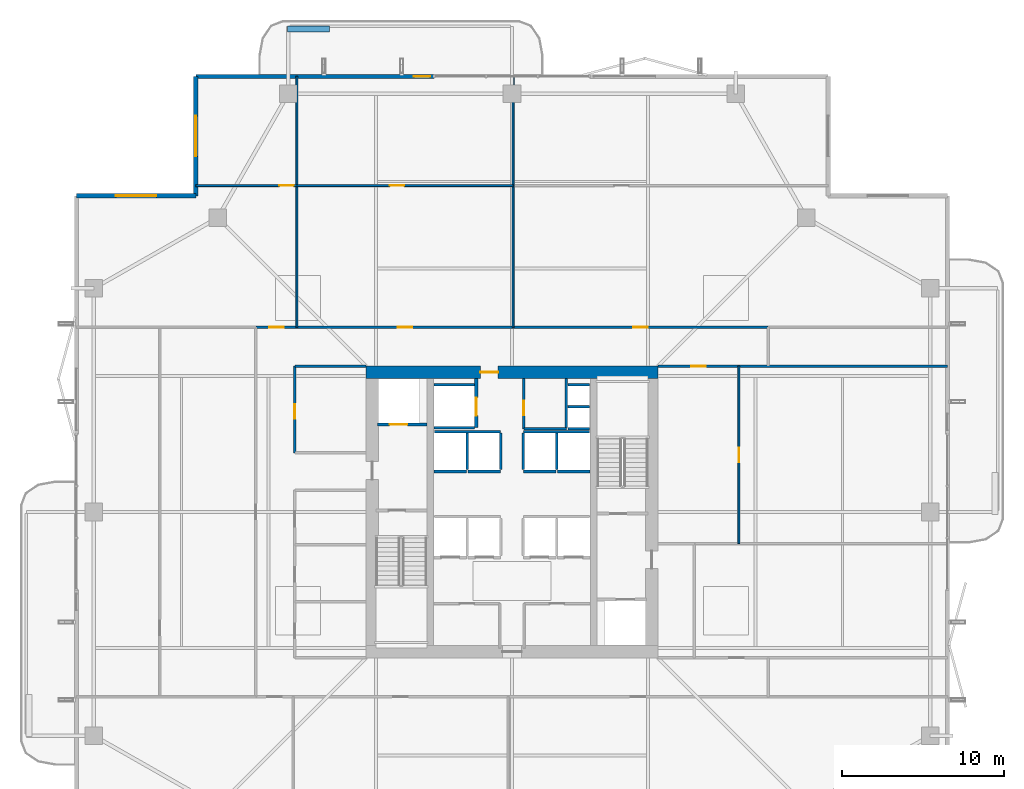
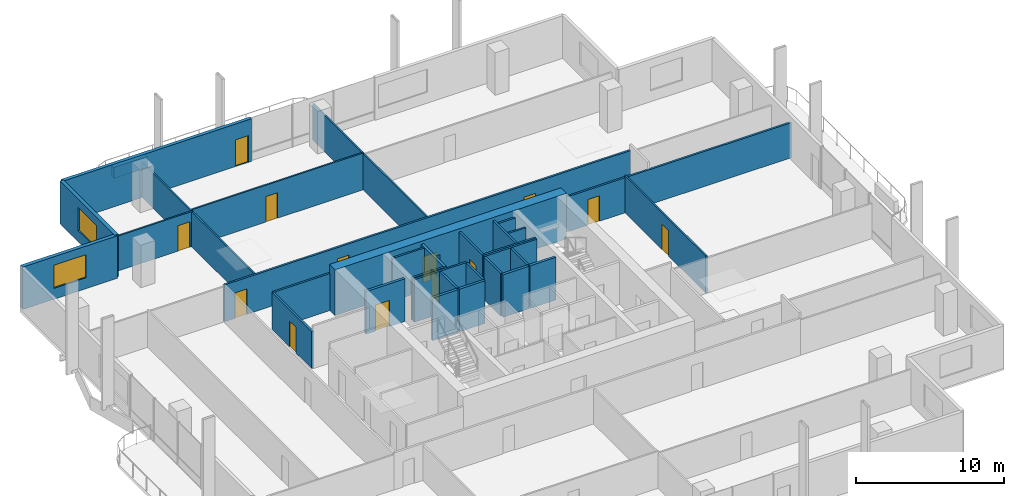
# One storey, part 19 of 24: 34 walls, 13 doors, 2 windows, 15 openings.
"""IFC4 building model written with IfcOpenShell, lengths in metres."""

from ifc_helpers import new_model, si_unit, direction, frame, frame_2d, origin, place, context, subcontext, project, spatial, rectangle, extrude, material, layer, layer_set, type_object, element, fill, save


model = new_model("IFC4")

# Units and contexts
model_context = context("Model", 3, precision=1e-05, world=origin(), true_north=direction((0.0, 1.0)))
body_context = subcontext(model_context, "Body", "Model", "MODEL_VIEW")
ifc_project = project(units=[si_unit("LENGTHUNIT", "METRE"), si_unit("AREAUNIT", "SQUARE_METRE"), si_unit("VOLUMEUNIT", "CUBIC_METRE"), si_unit("PLANEANGLEUNIT", "RADIAN"), si_unit("MASSUNIT", "GRAM", prefix="KILO")], contexts=[model_context])

# Site, building, storey
site_placement = place(None, origin())
site = spatial("IfcSite", under=ifc_project, at=site_placement, CompositionType="ELEMENT")
building_placement = place(site_placement, origin())
building = spatial("IfcBuilding", under=site, at=building_placement, Name="Belovzor Exchange Tower", CompositionType="ELEMENT")
storey_placement = place(building_placement, frame((0.0, 0.0, 226.199951171875)))
storey = spatial("IfcBuildingStorey", under=building, at=storey_placement, Name="L56", CompositionType="ELEMENT", Elevation=226.199951171875)

# Wall, opening, door
ifc_material_1 = material(Name="Acoustic Plasterboard on Galvanised Studs", Category="gypsum")
ifc_layer_1 = layer(ifc_material_1, 0.1201171875)
ifc_layer_set_1 = layer_set([ifc_layer_1], Name="Acoustic Plasterboard on Galvanised Studs")
wall_type_1 = type_object("IfcWallType", Name="Acoustic Double-Stud Partition Wall 120", PredefinedType="PARTITIONING", material=ifc_layer_set_1)
wall_1_placement = place(storey_placement, frame((9.300048828125, 48.93505859375, 0.0), z_axis=(0.0, 0.0, 1.0), x_axis=(1.0, 0.0, 0.0)))
wall_1 = element("IfcWall", 1, at=wall_1_placement, inside=storey, type_object=wall_type_1, Name="W-P120 Partition Wall W-L56-NHDIV-0", PredefinedType="PARTITIONING", context=body_context, shape_type="SweptSolid", body=[
    extrude(rectangle(XDim=6.23388671875, YDim=0.1201171875, at=frame_2d((3.116943359375, 0.0))), origin(), (0.0, 0.0, 1.0), 2.885009765625),
])
opening_1_placement = place(wall_1_placement, frame((5.134033203125, 0.0, 0.0)))
opening_1 = element("IfcOpeningElement", 2, at=opening_1_placement, cuts=wall_1, Name="Opening D-INT-090", PredefinedType="OPENING", context=body_context, shape_type="SweptSolid", body=[
    extrude(rectangle(XDim=0.89990234375, YDim=2.10009765625, at=frame_2d((0.449951171875, 1.050048828125))), frame((0.0, 0.070068359375, 0.0), z_axis=(0.0, -1.0, 0.0), x_axis=(1.0, 0.0, 0.0)), (0.0, 0.0, 1.0), 0.14013671875),
])
ifc_material_2 = material(Name="Veneered Hardwood Acoustic Leaf", Category="wood")
door_type_1 = type_object("IfcDoorType", Name="Trading Suite Acoustic Single Door 900x2100", OperationType="NOTDEFINED", PredefinedType="DOOR", material=ifc_material_2)
door_1_placement = place(opening_1_placement, origin())
door_1 = element("IfcDoor", 3, at=door_1_placement, inside=storey, type_object=door_type_1, Name="D-INT-090 Trading Suite Acoustic Single Door 900x2100", OperationType="SINGLE_SWING_RIGHT", OverallHeight=2.10009765625, OverallWidth=0.89990234375, PredefinedType="DOOR", context=body_context, shape_type="SweptSolid", body=[
    extrude(rectangle(XDim=0.89990234375, YDim=2.10009765625, at=frame_2d((0.449951171875, 1.050048828125))), frame((0.0, 0.02490234375, 0.0), z_axis=(0.0, -1.0, 0.0), x_axis=(1.0, 0.0, 0.0)), (0.0, 0.0, 1.0), 0.050048828125),
])
fill(opening_1, door_1)

# Wall
wall_2_placement = place(storey_placement, frame((15.533935546875, 40.199951171875, 0.0), z_axis=(0.0, 0.0, 1.0), x_axis=(0.0, 1.0, 0.0)))
element("IfcWall", 4, at=wall_2_placement, inside=storey, type_object=wall_type_1, Name="W-P120 Partition Wall W-L56-NDIV-1", PredefinedType="PARTITIONING", context=body_context, shape_type="SweptSolid", body=[
    extrude(rectangle(XDim=15.469970703125, YDim=0.1201171875, at=frame_2d((7.73486328125, 0.0))), origin(), (0.0, 0.0, 1.0), 2.885009765625),
])

# Wall, opening, door
wall_3_placement = place(storey_placement, frame((15.533935546875, 48.93505859375, 0.0), z_axis=(0.0, 0.0, 1.0), x_axis=(1.0, 0.0, 0.0)))
wall_3 = element("IfcWall", 5, at=wall_3_placement, inside=storey, type_object=wall_type_1, Name="W-P120 Partition Wall W-L56-NHDIV-1", PredefinedType="PARTITIONING", context=body_context, shape_type="SweptSolid", body=[
    extrude(rectangle(XDim=13.3310546875, YDim=0.1201171875, at=frame_2d((6.66552734375, 0.0))), origin(), (0.0, 0.0, 1.0), 3.03515625),
])
opening_2_placement = place(wall_3_placement, frame((5.714111328125, 0.0, 0.0)))
opening_2 = element("IfcOpeningElement", 6, at=opening_2_placement, cuts=wall_3, Name="Opening D-INT-090", PredefinedType="OPENING", context=body_context, shape_type="SweptSolid", body=[
    extrude(rectangle(XDim=0.89990234375, YDim=2.10009765625, at=frame_2d((0.449951171875, 1.050048828125))), frame((0.0, 0.070068359375, 0.0), z_axis=(0.0, -1.0, 0.0), x_axis=(1.0, 0.0, 0.0)), (0.0, 0.0, 1.0), 0.14013671875),
])
door_2_placement = place(opening_2_placement, origin())
door_2 = element("IfcDoor", 7, at=door_2_placement, inside=storey, type_object=door_type_1, Name="D-INT-090 Trading Suite Acoustic Single Door 900x2100", OperationType="SINGLE_SWING_RIGHT", OverallHeight=2.10009765625, OverallWidth=0.89990234375, PredefinedType="DOOR", context=body_context, shape_type="SweptSolid", body=[
    extrude(rectangle(XDim=0.89990234375, YDim=2.10009765625, at=frame_2d((0.449951171875, 1.050048828125))), frame((0.0, 0.02490234375, 0.0), z_axis=(0.0, -1.0, 0.0), x_axis=(1.0, 0.0, 0.0)), (0.0, 0.0, 1.0), 0.050048828125),
])
fill(opening_2, door_2)

# Wall
wall_4_placement = place(storey_placement, frame((28.864990234375, 40.199951171875, 0.0), z_axis=(0.0, 0.0, 1.0), x_axis=(0.0, 1.0, 0.0)))
element("IfcWall", 8, at=wall_4_placement, inside=storey, type_object=wall_type_1, Name="W-P120 Partition Wall W-L56-NDIV-2", PredefinedType="PARTITIONING", context=body_context, shape_type="SweptSolid", body=[
    extrude(rectangle(XDim=15.469970703125, YDim=0.1201171875, at=frame_2d((7.73486328125, 0.0))), origin(), (0.0, 0.0, 1.0), 2.985107421875),
])

# Wall, opening, door
wall_5_placement = place(storey_placement, frame((42.800048828125, 26.85009765625, 0.0), z_axis=(0.0, 0.0, 1.0), x_axis=(0.0, 1.0, 0.0)))
wall_5 = element("IfcWall", 9, at=wall_5_placement, inside=storey, type_object=wall_type_1, Name="W-P120 Partition Wall W-L56-EDIV-2", PredefinedType="PARTITIONING", context=body_context, shape_type="SweptSolid", body=[
    extrude(rectangle(XDim=10.949951171875, YDim=0.1201171875, at=frame_2d((5.47509765625, 0.0))), origin(), (0.0, 0.0, 1.0), 3.03515625),
])
opening_3_placement = place(wall_5_placement, frame((5.02490234375, 0.0, 0.0)))
opening_3 = element("IfcOpeningElement", 10, at=opening_3_placement, cuts=wall_5, Name="Opening D-INT-090", PredefinedType="OPENING", context=body_context, shape_type="SweptSolid", body=[
    extrude(rectangle(XDim=0.89990234375, YDim=2.10009765625, at=frame_2d((0.449951171875, 1.050048828125))), frame((0.0, 0.070068359375, 0.0), z_axis=(0.0, -1.0, 0.0), x_axis=(1.0, 0.0, 0.0)), (0.0, 0.0, 1.0), 0.14013671875),
])
door_3_placement = place(opening_3_placement, origin())
door_3 = element("IfcDoor", 11, at=door_3_placement, inside=storey, type_object=door_type_1, Name="D-INT-090 Trading Suite Acoustic Single Door 900x2100", OperationType="SINGLE_SWING_RIGHT", OverallHeight=2.10009765625, OverallWidth=0.89990234375, PredefinedType="DOOR", context=body_context, shape_type="SweptSolid", body=[
    extrude(rectangle(XDim=0.89990234375, YDim=2.10009765625, at=frame_2d((0.449951171875, 1.050048828125))), frame((0.0, 0.02490234375, 0.0), z_axis=(0.0, -1.0, 0.0), x_axis=(1.0, 0.0, 0.0)), (0.0, 0.0, 1.0), 0.050048828125),
])
fill(opening_3, door_3)

ifc_material_3 = material(Name="Fire-Rated Gypsum Block and Mineral Wool", Category="gypsum")
ifc_layer_2 = layer(ifc_material_3, 0.14990234375)
ifc_layer_set_2 = layer_set([ifc_layer_2], Name="Fire-Rated Gypsum Block and Mineral Wool")
wall_type_2 = type_object("IfcWallType", Name="Fire-Rated Gypsum Block Corridor Wall 150", PredefinedType="PARTITIONING", material=ifc_layer_set_2)
wall_6_placement = place(storey_placement, frame((29.52490234375, 33.925048828125, 0.0), z_axis=(0.0, 0.0, 1.0), x_axis=(0.0, 1.0, 0.0)))
wall_6 = element("IfcWall", 12, at=wall_6_placement, inside=storey, type_object=wall_type_2, Name="W-P150 Partition Wall W-CRV-L56-W", PredefinedType="PARTITIONING", context=body_context, shape_type="SweptSolid", body=[
    extrude(rectangle(XDim=3.125, YDim=0.14990234375, at=frame_2d((1.5625, 0.0))), origin(), (0.0, 0.0, 1.0), 3.5),
])
opening_4_placement = place(wall_6_placement, frame((0.85009765625, 0.0, 0.0)))
opening_4 = element("IfcOpeningElement", 13, at=opening_4_placement, cuts=wall_6, Name="Opening D-FD60-090", PredefinedType="OPENING", context=body_context, shape_type="SweptSolid", body=[
    extrude(rectangle(XDim=0.89990234375, YDim=2.10009765625, at=frame_2d((0.449951171875, 1.050048828125))), frame((0.0, 0.0849609375, 0.0), z_axis=(0.0, -1.0, 0.0), x_axis=(1.0, 0.0, 0.0)), (0.0, 0.0, 1.0), 0.169921875),
])
ifc_material_4 = material(Name="Acoustic Timber Fire Leaf", Category="wood")
door_type_2 = type_object("IfcDoorType", Name="Core Service & Restroom Fire Door 900x2100", OperationType="NOTDEFINED", PredefinedType="DOOR", material=ifc_material_4)
door_4_placement = place(opening_4_placement, origin())
door_4 = element("IfcDoor", 14, at=door_4_placement, inside=storey, type_object=door_type_2, Name="D-FD60-090 Core Service & Restroom Fire Door 900x2100", OperationType="SINGLE_SWING_LEFT", OverallHeight=2.10009765625, OverallWidth=0.89990234375, PredefinedType="DOOR", context=body_context, shape_type="SweptSolid", body=[
    extrude(rectangle(XDim=0.89990234375, YDim=2.10009765625, at=frame_2d((0.449951171875, 1.050048828125))), frame((0.0, 0.02490234375, 0.0), z_axis=(0.0, -1.0, 0.0), x_axis=(1.0, 0.0, 0.0)), (0.0, 0.0, 1.0), 0.050048828125),
])
fill(opening_4, door_4)

# Walls
wall_7_placement = place(storey_placement, frame((29.52490234375, 33.925048828125, 0.0), z_axis=(0.0, 0.0, 1.0), x_axis=(1.0, 0.0, 0.0)))
element("IfcWall", 15, at=wall_7_placement, inside=storey, type_object=wall_type_2, Name="W-P150 Partition Wall W-CRV-L56-S", PredefinedType="PARTITIONING", context=body_context, shape_type="SweptSolid", body=[
    extrude(rectangle(XDim=2.625, YDim=0.14990234375, at=frame_2d((1.3125, 0.0))), origin(), (0.0, 0.0, 1.0), 3.5),
])
wall_8_placement = place(storey_placement, frame((15.39990234375, 37.800048828125, 0.0), z_axis=(0.0, 0.0, 1.0), x_axis=(1.0, 0.0, 0.0)))
element("IfcWall", 16, at=wall_8_placement, inside=storey, type_object=wall_type_2, Name="W-P150 Partition Wall W-L56-INW-N", PredefinedType="PARTITIONING", context=body_context, shape_type="SweptSolid", body=[
    extrude(rectangle(XDim=4.400146484375, YDim=0.14990234375, at=frame_2d((2.2001953125, 0.0))), origin(), (0.0, 0.0, 1.0), 3.03515625),
])

# Wall, opening, door
wall_9_placement = place(storey_placement, frame((15.39990234375, 32.449951171875, 0.0), z_axis=(0.0, 0.0, 1.0), x_axis=(0.0, 1.0, 0.0)))
wall_9 = element("IfcWall", 17, at=wall_9_placement, inside=storey, type_object=wall_type_2, Name="W-P150 Partition Wall W-L56-WIE-N", PredefinedType="PARTITIONING", context=body_context, shape_type="SweptSolid", body=[
    extrude(rectangle(XDim=5.35009765625, YDim=0.14990234375, at=frame_2d((2.675048828125, 0.0))), origin(), (0.0, 0.0, 1.0), 3.03515625),
])
opening_5_placement = place(wall_9_placement, frame((2.10009765625, 0.0, 0.0)))
opening_5 = element("IfcOpeningElement", 18, at=opening_5_placement, cuts=wall_9, Name="Opening D-FD60-090", PredefinedType="OPENING", context=body_context, shape_type="SweptSolid", body=[
    extrude(rectangle(XDim=0.89990234375, YDim=2.10009765625, at=frame_2d((0.449951171875, 1.050048828125))), frame((0.0, 0.0849609375, 0.0), z_axis=(0.0, -1.0, 0.0), x_axis=(1.0, 0.0, 0.0)), (0.0, 0.0, 1.0), 0.169921875),
])
door_5_placement = place(opening_5_placement, origin())
door_5 = element("IfcDoor", 19, at=door_5_placement, inside=storey, type_object=door_type_2, Name="D-FD60-090 Core Service & Restroom Fire Door 900x2100", OperationType="SINGLE_SWING_LEFT", OverallHeight=2.10009765625, OverallWidth=0.89990234375, PredefinedType="DOOR", context=body_context, shape_type="SweptSolid", body=[
    extrude(rectangle(XDim=0.89990234375, YDim=2.10009765625, at=frame_2d((0.449951171875, 1.050048828125))), frame((0.0, 0.02490234375, 0.0), z_axis=(0.0, -1.0, 0.0), x_axis=(1.0, 0.0, 0.0)), (0.0, 0.0, 1.0), 0.050048828125),
])
fill(opening_5, door_5)

wall_10_placement = place(storey_placement, frame((37.800048828125, 37.800048828125, 0.0), z_axis=(0.0, 0.0, 1.0), x_axis=(1.0, 0.0, 0.0)))
wall_10 = element("IfcWall", 20, at=wall_10_placement, inside=storey, type_object=wall_type_2, Name="W-P150 Partition Wall W-L56-CN-IN", PredefinedType="PARTITIONING", context=body_context, shape_type="SweptSolid", body=[
    extrude(rectangle(XDim=17.869873046875, YDim=0.14990234375, at=frame_2d((8.93505859375, 0.0))), origin(), (0.0, 0.0, 1.0), 2.885009765625),
])
opening_6_placement = place(wall_10_placement, frame((2.050048828125, 0.0, 0.0)))
opening_6 = element("IfcOpeningElement", 21, at=opening_6_placement, cuts=wall_10, Name="Opening D-INT-090", PredefinedType="OPENING", context=body_context, shape_type="SweptSolid", body=[
    extrude(rectangle(XDim=0.89990234375, YDim=2.10009765625, at=frame_2d((0.449951171875, 1.050048828125))), frame((0.0, 0.0849609375, 0.0), z_axis=(0.0, -1.0, 0.0), x_axis=(1.0, 0.0, 0.0)), (0.0, 0.0, 1.0), 0.169921875),
])
door_6_placement = place(opening_6_placement, origin())
door_6 = element("IfcDoor", 22, at=door_6_placement, inside=storey, type_object=door_type_1, Name="D-INT-090 Trading Suite Acoustic Single Door 900x2100", OperationType="SINGLE_SWING_RIGHT", OverallHeight=2.10009765625, OverallWidth=0.89990234375, PredefinedType="DOOR", context=body_context, shape_type="SweptSolid", body=[
    extrude(rectangle(XDim=0.89990234375, YDim=2.10009765625, at=frame_2d((0.449951171875, 1.050048828125))), frame((0.0, 0.02490234375, 0.0), z_axis=(0.0, -1.0, 0.0), x_axis=(1.0, 0.0, 0.0)), (0.0, 0.0, 1.0), 0.050048828125),
])
fill(opening_6, door_6)

# Wall, openings, doors
wall_11_placement = place(storey_placement, frame((13.0, 40.199951171875, 0.0), z_axis=(0.0, 0.0, 1.0), x_axis=(1.0, 0.0, 0.0)))
wall_11 = element("IfcWall", 23, at=wall_11_placement, inside=storey, type_object=wall_type_2, Name="W-P150 Partition Wall W-L56-CN", PredefinedType="PARTITIONING", context=body_context, shape_type="SweptSolid", body=[
    extrude(rectangle(XDim=31.60009765625, YDim=0.14990234375, at=frame_2d((15.800048828125, 0.0))), origin(), (0.0, 0.0, 1.0), 3.03515625),
])
opening_7_placement = place(wall_11_placement, frame((0.81689453125, 0.0, 0.0)))
opening_7 = element("IfcOpeningElement", 24, at=opening_7_placement, cuts=wall_11, Name="Opening D-INT-090", PredefinedType="OPENING", context=body_context, shape_type="SweptSolid", body=[
    extrude(rectangle(XDim=0.89990234375, YDim=2.10009765625, at=frame_2d((0.449951171875, 1.050048828125))), frame((0.0, 0.0849609375, 0.0), z_axis=(0.0, -1.0, 0.0), x_axis=(1.0, 0.0, 0.0)), (0.0, 0.0, 1.0), 0.169921875),
])
opening_8_placement = place(wall_11_placement, frame((8.75, 0.0, 0.0)))
opening_8 = element("IfcOpeningElement", 25, at=opening_8_placement, cuts=wall_11, Name="Opening D-INT-090", PredefinedType="OPENING", context=body_context, shape_type="SweptSolid", body=[
    extrude(rectangle(XDim=0.89990234375, YDim=2.10009765625, at=frame_2d((0.449951171875, 1.050048828125))), frame((0.0, 0.0849609375, 0.0), z_axis=(0.0, -1.0, 0.0), x_axis=(1.0, 0.0, 0.0)), (0.0, 0.0, 1.0), 0.169921875),
])
opening_9_placement = place(wall_11_placement, frame((23.281982421875, 0.0, 0.0)))
opening_9 = element("IfcOpeningElement", 26, at=opening_9_placement, cuts=wall_11, Name="Opening D-INT-090", PredefinedType="OPENING", context=body_context, shape_type="SweptSolid", body=[
    extrude(rectangle(XDim=0.89990234375, YDim=2.10009765625, at=frame_2d((0.449951171875, 1.050048828125))), frame((0.0, 0.0849609375, 0.0), z_axis=(0.0, -1.0, 0.0), x_axis=(1.0, 0.0, 0.0)), (0.0, 0.0, 1.0), 0.169921875),
])
door_7_placement = place(opening_7_placement, origin())
door_7 = element("IfcDoor", 27, at=door_7_placement, inside=storey, type_object=door_type_1, Name="D-INT-090 Trading Suite Acoustic Single Door 900x2100", OperationType="SINGLE_SWING_RIGHT", OverallHeight=2.10009765625, OverallWidth=0.89990234375, PredefinedType="DOOR", context=body_context, shape_type="SweptSolid", body=[
    extrude(rectangle(XDim=0.89990234375, YDim=2.10009765625, at=frame_2d((0.449951171875, 1.050048828125))), frame((0.0, 0.02490234375, 0.0), z_axis=(0.0, -1.0, 0.0), x_axis=(1.0, 0.0, 0.0)), (0.0, 0.0, 1.0), 0.050048828125),
])
fill(opening_7, door_7)
door_8_placement = place(opening_8_placement, origin())
door_8 = element("IfcDoor", 28, at=door_8_placement, inside=storey, type_object=door_type_1, Name="D-INT-090 Trading Suite Acoustic Single Door 900x2100", OperationType="SINGLE_SWING_LEFT", OverallHeight=2.10009765625, OverallWidth=0.89990234375, PredefinedType="DOOR", context=body_context, shape_type="SweptSolid", body=[
    extrude(rectangle(XDim=0.89990234375, YDim=2.10009765625, at=frame_2d((0.449951171875, 1.050048828125))), frame((0.0, 0.02490234375, 0.0), z_axis=(0.0, -1.0, 0.0), x_axis=(1.0, 0.0, 0.0)), (0.0, 0.0, 1.0), 0.050048828125),
])
fill(opening_8, door_8)
door_9_placement = place(opening_9_placement, origin())
door_9 = element("IfcDoor", 29, at=door_9_placement, inside=storey, type_object=door_type_1, Name="D-INT-090 Trading Suite Acoustic Single Door 900x2100", OperationType="SINGLE_SWING_RIGHT", OverallHeight=2.10009765625, OverallWidth=0.89990234375, PredefinedType="DOOR", context=body_context, shape_type="SweptSolid", body=[
    extrude(rectangle(XDim=0.89990234375, YDim=2.10009765625, at=frame_2d((0.449951171875, 1.050048828125))), frame((0.0, 0.02490234375, 0.0), z_axis=(0.0, -1.0, 0.0), x_axis=(1.0, 0.0, 0.0)), (0.0, 0.0, 1.0), 0.050048828125),
])
fill(opening_9, door_9)

# Wall, opening, window
ifc_material_5 = material(Name="Precast concrete C40/50", Category="concrete")
ifc_layer_3 = layer(ifc_material_5, 0.280029296875)
ifc_layer_set_3 = layer_set([ifc_layer_3], Name="Precast concrete C40/50")
wall_type_3 = type_object("IfcWallType", Name="Precast Concrete Notched Corner Frame Wall 280", PredefinedType="SOLIDWALL", material=ifc_layer_set_3)
wall_12_placement = place(storey_placement, frame((1.929931640625, 48.300048828125, 0.0), z_axis=(0.0, 0.0, 1.0), x_axis=(1.0, 0.0, 0.0)))
wall_12 = element("IfcWall", 30, at=wall_12_placement, inside=storey, type_object=wall_type_3, Name="W-CRN280 Precast Concrete Notched Corner Frame Wall 280 L56", PredefinedType="SOLIDWALL", context=body_context, shape_type="SweptSolid", body=[
    extrude(rectangle(XDim=7.3701171875, YDim=0.280029296875, at=frame_2d((3.68505859375, 0.0))), origin(), (0.0, 0.0, 1.0), 3.5),
])
opening_10_placement = place(wall_12_placement, frame((2.43505859375, 0.0, 0.89990234375)))
opening_10 = element("IfcOpeningElement", 31, at=opening_10_placement, cuts=wall_12, Name="Opening WN-CRN250", PredefinedType="OPENING", context=body_context, shape_type="SweptSolid", body=[
    extrude(rectangle(XDim=2.5, YDim=1.89990234375, at=frame_2d((1.25, 0.949951171875))), frame((0.0, 0.14990234375, 0.0), z_axis=(0.0, -1.0, 0.0), x_axis=(1.0, 0.0, 0.0)), (0.0, 0.0, 1.0), 0.300048828125),
])
ifc_material_6 = material(Name="Thermally Broken Aluminium and Triple Glazing", Category="aluminium")
window_type = type_object("IfcWindowType", Name="Streamline Moderne Corner Wrap Ribbon Window 2500x1900", PartitioningType="SINGLE_PANEL", PredefinedType="WINDOW", material=ifc_material_6)
window_1_placement = place(opening_10_placement, origin())
window_1 = element("IfcWindow", 32, at=window_1_placement, inside=storey, type_object=window_type, Name="WN-CRN250 Streamline Moderne Corner Wrap Ribbon Window 2500x1900", OverallHeight=1.89990234375, OverallWidth=2.5, PartitioningType="SINGLE_PANEL", PredefinedType="WINDOW", context=body_context, shape_type="SweptSolid", body=[
    extrude(rectangle(XDim=2.5, YDim=1.89990234375, at=frame_2d((1.25, 0.949951171875))), frame((0.0, 0.030029296875, 0.0), z_axis=(0.0, -1.0, 0.0), x_axis=(1.0, 0.0, 0.0)), (0.0, 0.0, 1.0), 0.06005859375),
])
fill(opening_10, window_1)

wall_13_placement = place(storey_placement, frame((9.300048828125, 48.300048828125, 0.0), z_axis=(0.0, 0.0, 1.0), x_axis=(0.0, 1.0, 0.0)))
wall_13 = element("IfcWall", 33, at=wall_13_placement, inside=storey, type_object=wall_type_3, Name="W-CRN280 Precast Concrete Notched Corner Frame Wall 280 L56", PredefinedType="SOLIDWALL", context=body_context, shape_type="SweptSolid", body=[
    extrude(rectangle(XDim=7.369873046875, YDim=0.280029296875, at=frame_2d((3.68505859375, 0.0))), origin(), (0.0, 0.0, 1.0), 3.5),
])
opening_11_placement = place(wall_13_placement, frame((2.43505859375, 0.0, 0.89990234375)))
opening_11 = element("IfcOpeningElement", 34, at=opening_11_placement, cuts=wall_13, Name="Opening WN-CRN250", PredefinedType="OPENING", context=body_context, shape_type="SweptSolid", body=[
    extrude(rectangle(XDim=2.5, YDim=1.89990234375, at=frame_2d((1.25, 0.949951171875))), frame((0.0, 0.14990234375, 0.0), z_axis=(0.0, -1.0, 0.0), x_axis=(1.0, 0.0, 0.0)), (0.0, 0.0, 1.0), 0.300048828125),
])
window_2_placement = place(opening_11_placement, origin())
window_2 = element("IfcWindow", 35, at=window_2_placement, inside=storey, type_object=window_type, Name="WN-CRN250 Streamline Moderne Corner Wrap Ribbon Window 2500x1900", OverallHeight=1.89990234375, OverallWidth=2.5, PartitioningType="SINGLE_PANEL", PredefinedType="WINDOW", context=body_context, shape_type="SweptSolid", body=[
    extrude(rectangle(XDim=2.5, YDim=1.89990234375, at=frame_2d((1.25, 0.949951171875))), frame((0.0, 0.030029296875, 0.0), z_axis=(0.0, -1.0, 0.0), x_axis=(1.0, 0.0, 0.0)), (0.0, 0.0, 1.0), 0.06005859375),
])
fill(opening_11, window_2)

# Wall, opening, door
ifc_material_7 = material(Name="Precast concrete C40/50", Category="concrete")
ifc_layer_4 = layer(ifc_material_7, 0.260009765625)
ifc_layer_set_4 = layer_set([ifc_layer_4], Name="Precast concrete C40/50")
wall_type_4 = type_object("IfcWallType", Name="Precast Concrete Perimeter Loggia Frame Wall 260", PredefinedType="SOLIDWALL", material=ifc_layer_set_4)
wall_14_placement = place(storey_placement, frame((9.300048828125, 55.669921875, 0.0), z_axis=(0.0, 0.0, 1.0), x_axis=(1.0, 0.0, 0.0)))
wall_14 = element("IfcWall", 36, at=wall_14_placement, inside=storey, type_object=wall_type_4, Name="W-EXT260 Precast Concrete Perimeter Loggia Frame Wall 260 L56", PredefinedType="SOLIDWALL", context=body_context, shape_type="SweptSolid", body=[
    extrude(rectangle(XDim=14.699951171875, YDim=0.260009765625, at=frame_2d((7.35009765625, 0.0))), origin(), (0.0, 0.0, 1.0), 3.5),
])
opening_12_placement = place(wall_14_placement, frame((13.449951171875, 0.0, 0.0)))
opening_12 = element("IfcOpeningElement", 37, at=opening_12_placement, cuts=wall_14, Name="Opening D-BAL100", PredefinedType="OPENING", context=body_context, shape_type="SweptSolid", body=[
    extrude(rectangle(XDim=1.0, YDim=2.199951171875, at=frame_2d((0.5, 1.10009765625))), frame((0.0, 0.139892578125, 0.0), z_axis=(0.0, -1.0, 0.0), x_axis=(1.0, 0.0, 0.0)), (0.0, 0.0, 1.0), 0.280029296875),
])
ifc_material_8 = material(Name="Thermally Broken Anodised Aluminium and Laminated Glass", Category="aluminium")
door_type_3 = type_object("IfcDoorType", Name="Planted Loggia Terrace Glazed Door 1000x2200", OperationType="SINGLE_SWING_LEFT", PredefinedType="DOOR", material=ifc_material_8)
door_10_placement = place(opening_12_placement, origin())
door_10 = element("IfcDoor", 38, at=door_10_placement, inside=storey, type_object=door_type_3, Name="D-BAL100 Balcony Terrace Door L56 N", OperationType="SINGLE_SWING_RIGHT", OverallHeight=2.199951171875, OverallWidth=1.0, PredefinedType="DOOR", context=body_context, shape_type="SweptSolid", body=[
    extrude(rectangle(XDim=1.0, YDim=2.199951171875, at=frame_2d((0.5, 1.10009765625))), frame((0.0, 0.02490234375, 0.0), z_axis=(0.0, -1.0, 0.0), x_axis=(1.0, 0.0, 0.0)), (0.0, 0.0, 1.0), 0.050048828125),
])
fill(opening_12, door_10)

# Walls
ifc_material_9 = material(Name="Precast concrete C40/50", Category="concrete")
ifc_layer_5 = layer(ifc_material_9, 0.35009765625)
ifc_layer_set_5 = layer_set([ifc_layer_5], Name="Precast concrete C40/50")
wall_type_5 = type_object("IfcWallType", Name="Precast Concrete Structural Tree Planter Trough 350", PredefinedType="PARAPET", material=ifc_layer_set_5)
wall_15_placement = place(storey_placement, frame((14.949951171875, 58.60009765625, 0.0), z_axis=(0.0, 0.0, 1.0), x_axis=(1.0, 0.0, 0.0)))
element("IfcWall", 39, at=wall_15_placement, inside=storey, type_object=wall_type_5, Name="PT-350 Precast Concrete Structural Tree Planter Trough 350 L56", PredefinedType="PARAPET", context=body_context, shape_type="SweptSolid", body=[
    extrude(rectangle(XDim=2.60009765625, YDim=0.35009765625, at=frame_2d((1.300048828125, 0.0))), origin(), (0.0, 0.0, 1.0), 0.900146484375),
])
ifc_material_10 = material(Name="Concrete C50/60", Category="concrete")
ifc_layer_6 = layer(ifc_material_10, 0.14990234375)
ifc_layer_set_6 = layer_set([ifc_layer_6], Name="Concrete C50/60")
wall_type_6 = type_object("IfcWallType", Name="Reinforced Concrete Core Riser Shear Wall 150", PredefinedType="SHEAR", material=ifc_layer_set_6)
wall_16_placement = place(storey_placement, frame((32.14990234375, 34.0, 0.0), z_axis=(0.0, 0.0, 1.0), x_axis=(0.0, 1.0, 0.0)))
element("IfcWall", 40, at=wall_16_placement, inside=storey, type_object=wall_type_6, Name="W-C150S Core Shaft Wall W-RSR-L56-E", PredefinedType="SHEAR", context=body_context, shape_type="SweptSolid", body=[
    extrude(rectangle(XDim=3.050048828125, YDim=0.14990234375, at=frame_2d((1.52490234375, 0.0))), origin(), (0.0, 0.0, 1.0), 3.5),
])
for number, where, z_axis, x_axis, name in (
    (41, (32.25, 33.925048828125, 0.0), (0.0, 0.0, 1.0), (1.0, 0.0, 0.0), "W-C150S Core Shaft Wall W-RSR-L56-S"),
    (42, (32.25, 35.300048828125, 0.0), (0.0, 0.0, 1.0), (1.0, 0.0, 0.0), "W-C150S Core Shaft Wall W-RSR-L56-M"),
):
    element("IfcWall", number, at=place(storey_placement, frame(where, z_axis=z_axis, x_axis=x_axis)), inside=storey, type_object=wall_type_6, Name=name, PredefinedType="SHEAR", context=body_context, shape_type="SweptSolid", body=[
        extrude(rectangle(XDim=1.330078125, YDim=0.14990234375, at=frame_2d((0.6650390625, 0.0))), origin(), (0.0, 0.0, 1.0), 3.5),
    ])
for number, where, z_axis, x_axis, name in (
    (43, (24.0, 34.0, 0.0), (0.0, 0.0, 1.0), (1.0, 0.0, 0.0), "W-C150S Core Shaft Wall W-SH-L56-SL-01S"),
    (44, (24.0, 36.64990234375, 0.0), (0.0, 0.0, 1.0), (1.0, 0.0, 0.0), "W-C150S Core Shaft Wall W-SH-L56-SL-01N"),
):
    element("IfcWall", number, at=place(storey_placement, frame(where, z_axis=z_axis, x_axis=x_axis)), inside=storey, type_object=wall_type_6, Name=name, PredefinedType="SHEAR", context=body_context, shape_type="SweptSolid", body=[
        extrude(rectangle(XDim=2.47998046875, YDim=0.14990234375, at=frame_2d((1.239990234375, 0.0))), origin(), (0.0, 0.0, 1.0), 3.5),
    ])
wall_17_placement = place(storey_placement, frame((32.25, 36.64990234375, 0.0), z_axis=(0.0, 0.0, 1.0), x_axis=(1.0, 0.0, 0.0)))
element("IfcWall", 45, at=wall_17_placement, inside=storey, type_object=wall_type_6, Name="W-C150S Core Shaft Wall W-RSR-L56-N", PredefinedType="SHEAR", context=body_context, shape_type="SweptSolid", body=[
    extrude(rectangle(XDim=1.330078125, YDim=0.14990234375, at=frame_2d((0.6650390625, 0.0))), origin(), (0.0, 0.0, 1.0), 3.5),
])
for number, where, z_axis, x_axis, name in (
    (46, (24.02001953125, 33.760009765625, 0.0), (0.0, 0.0, 1.0), (1.0, 0.0, 0.0), "W-C150S Core Shaft Wall W-SHB-L56-PLH-NW"),
    (47, (29.5, 33.760009765625, 0.0), (0.0, 0.0, 1.0), (1.0, 0.0, 0.0), "W-C150S Core Shaft Wall W-SHB-L56-PLH-NE"),
):
    element("IfcWall", number, at=place(storey_placement, frame(where, z_axis=z_axis, x_axis=x_axis)), inside=storey, type_object=wall_type_6, Name=name, PredefinedType="SHEAR", context=body_context, shape_type="SweptSolid", body=[
        extrude(rectangle(XDim=4.080078125, YDim=0.14990234375, at=frame_2d((2.0400390625, 0.0))), origin(), (0.0, 0.0, 1.0), 3.5),
    ])
for number, where, z_axis, x_axis, name in (
    (48, (26.050048828125, 31.419921875, 0.0), (0.0, 0.0, 1.0), (0.0, 1.0, 0.0), "W-C150S Core Shaft Wall W-SHD-L56-PLH-1"),
    (49, (28.10009765625, 31.419921875, 0.0), (0.0, 0.0, 1.0), (0.0, 1.0, 0.0), "W-C150S Core Shaft Wall W-SHD-L56-PLH-2"),
    (50, (29.5, 31.419921875, 0.0), (0.0, 0.0, 1.0), (0.0, 1.0, 0.0), "W-C150S Core Shaft Wall W-SHD-L56-PLH-3"),
    (51, (31.550048828125, 31.419921875, 0.0), (0.0, 0.0, 1.0), (0.0, 1.0, 0.0), "W-C150S Core Shaft Wall W-SHD-L56-PLH-4"),
):
    element("IfcWall", number, at=place(storey_placement, frame(where, z_axis=z_axis, x_axis=x_axis)), inside=storey, type_object=wall_type_6, Name=name, PredefinedType="SHEAR", context=body_context, shape_type="SweptSolid", body=[
        extrude(rectangle(XDim=2.239990234375, YDim=0.14990234375, at=frame_2d((1.1201171875, 0.0))), origin(), (0.0, 0.0, 1.0), 3.5),
    ])

# Wall, opening, door
ifc_material_11 = material(Name="Concrete C50/60", Category="concrete")
ifc_layer_7 = layer(ifc_material_11, 0.199951171875)
ifc_layer_set_7 = layer_set([ifc_layer_7], Name="Concrete C50/60")
wall_type_7 = type_object("IfcWallType", Name="Reinforced Concrete Core Shaft Shear Wall 200", PredefinedType="SHEAR", material=ifc_layer_set_7)
wall_18_placement = place(storey_placement, frame((20.5, 34.199951171875, 0.0), z_axis=(0.0, 0.0, 1.0), x_axis=(1.0, 0.0, 0.0)))
wall_18 = element("IfcWall", 52, at=wall_18_placement, inside=storey, type_object=wall_type_7, Name="W-C200S Core Shaft Wall W-SH-L56-FFL-01", PredefinedType="SHEAR", context=body_context, shape_type="SweptSolid", body=[
    extrude(rectangle(XDim=3.050048828125, YDim=0.199951171875, at=frame_2d((1.52490234375, 0.0))), origin(), (0.0, 0.0, 1.0), 3.5),
])
opening_13_placement = place(wall_18_placement, frame((0.75, 0.0, 0.0)))
opening_13 = element("IfcOpeningElement", 53, at=opening_13_placement, cuts=wall_18, Name="Opening LD-110", PredefinedType="OPENING", context=body_context, shape_type="SweptSolid", body=[
    extrude(rectangle(XDim=1.10009765625, YDim=2.14990234375, at=frame_2d((0.550048828125, 1.074951171875))), frame((0.0, 0.10986328125, 0.0), z_axis=(0.0, -1.0, 0.0), x_axis=(1.0, 0.0, 0.0)), (0.0, 0.0, 1.0), 0.219970703125),
])
ifc_material_12 = material(Name="Stainless Steel Grade 304", Category="steel")
door_type_4 = type_object("IfcDoorType", Name="Automated Stainless Steel Lift Landing Door 1100x2150", OperationType="SLIDING_TO_RIGHT", PredefinedType="DOOR", material=ifc_material_12)
door_11_placement = place(opening_13_placement, origin())
door_11 = element("IfcDoor", 54, at=door_11_placement, inside=storey, type_object=door_type_4, Name="LD-110 Automated Stainless Steel Lift Landing Door 1100x2150", OperationType="SLIDING_TO_RIGHT", OverallHeight=2.14990234375, OverallWidth=1.10009765625, PredefinedType="DOOR", context=body_context, shape_type="SweptSolid", body=[
    extrude(rectangle(XDim=1.10009765625, YDim=2.14990234375, at=frame_2d((0.550048828125, 1.074951171875))), frame((0.0, 0.02490234375, 0.0), z_axis=(0.0, -1.0, 0.0), x_axis=(1.0, 0.0, 0.0)), (0.0, 0.0, 1.0), 0.050048828125),
])
fill(opening_13, door_11)

wall_19_placement = place(storey_placement, frame((26.60009765625, 34.0, 0.0), z_axis=(0.0, 0.0, 1.0), x_axis=(0.0, 1.0, 0.0)))
wall_19 = element("IfcWall", 55, at=wall_19_placement, inside=storey, type_object=wall_type_7, Name="W-C200S Core Shaft Wall W-SH-L56-SL-01", PredefinedType="SHEAR", context=body_context, shape_type="SweptSolid", body=[
    extrude(rectangle(XDim=3.050048828125, YDim=0.199951171875, at=frame_2d((1.52490234375, 0.0))), origin(), (0.0, 0.0, 1.0), 3.5),
])
opening_14_placement = place(wall_19_placement, frame((0.75, 0.0, 0.0)))
opening_14 = element("IfcOpeningElement", 56, at=opening_14_placement, cuts=wall_19, Name="Opening LD-110", PredefinedType="OPENING", context=body_context, shape_type="SweptSolid", body=[
    extrude(rectangle(XDim=1.10009765625, YDim=2.14990234375, at=frame_2d((0.550048828125, 1.074951171875))), frame((0.0, 0.10986328125, 0.0), z_axis=(0.0, -1.0, 0.0), x_axis=(1.0, 0.0, 0.0)), (0.0, 0.0, 1.0), 0.219970703125),
])
door_12_placement = place(opening_14_placement, origin())
door_12 = element("IfcDoor", 57, at=door_12_placement, inside=storey, type_object=door_type_4, Name="LD-110 Automated Stainless Steel Lift Landing Door 1100x2150", OperationType="SLIDING_TO_RIGHT", OverallHeight=2.14990234375, OverallWidth=1.10009765625, PredefinedType="DOOR", context=body_context, shape_type="SweptSolid", body=[
    extrude(rectangle(XDim=1.10009765625, YDim=2.14990234375, at=frame_2d((0.550048828125, 1.074951171875))), frame((0.0, 0.02490234375, 0.0), z_axis=(0.0, -1.0, 0.0), x_axis=(1.0, 0.0, 0.0)), (0.0, 0.0, 1.0), 0.050048828125),
])
fill(opening_14, door_12)

# Walls
for number, where, z_axis, x_axis, name in (
    (58, (24.0, 31.300048828125, 0.0), (0.0, 0.0, 1.0), (1.0, 0.0, 0.0), "W-C200S Core Shaft Wall W-SH-L56-PL-H1"),
    (59, (26.10009765625, 31.300048828125, 0.0), (0.0, 0.0, 1.0), (1.0, 0.0, 0.0), "W-C200S Core Shaft Wall W-SH-L56-PL-H2"),
    (60, (29.5, 31.300048828125, 0.0), (0.0, 0.0, 1.0), (1.0, 0.0, 0.0), "W-C200S Core Shaft Wall W-SH-L56-PL-H3"),
    (61, (31.60009765625, 31.300048828125, 0.0), (0.0, 0.0, 1.0), (1.0, 0.0, 0.0), "W-C200S Core Shaft Wall W-SH-L56-PL-H4"),
):
    element("IfcWall", number, at=place(storey_placement, frame(where, z_axis=z_axis, x_axis=x_axis)), inside=storey, type_object=wall_type_7, Name=name, PredefinedType="SHEAR", context=body_context, shape_type="SweptSolid", body=[
        extrude(rectangle(XDim=2.0, YDim=0.199951171875, at=frame_2d((1.0, 0.0))), origin(), (0.0, 0.0, 1.0), 3.5),
    ])

# Wall, opening, door
ifc_material_13 = material(Name="Concrete C50/60", Category="concrete")
ifc_layer_8 = layer(ifc_material_13, 0.75)
ifc_layer_set_8 = layer_set([ifc_layer_8], Name="Concrete C50/60")
wall_type_8 = type_object("IfcWallType", Name="Reinforced Concrete Core Shear Wall 750", PredefinedType="SHEAR", material=ifc_layer_set_8)
wall_20_placement = place(storey_placement, frame((19.800048828125, 37.425048828125, 0.0), z_axis=(0.0, 0.0, 1.0), x_axis=(1.0, 0.0, 0.0)))
wall_20 = element("IfcWall", 62, at=wall_20_placement, inside=storey, type_object=wall_type_8, Name="CW-S075 Core Shear Wall L56 N", PredefinedType="SHEAR", context=body_context, shape_type="SweptSolid", body=[
    extrude(rectangle(XDim=18.0, YDim=0.75, at=frame_2d((9.0, 0.0))), origin(), (0.0, 0.0, 1.0), 3.75),
])
opening_15_placement = place(wall_20_placement, frame((7.050048828125, 0.0, 0.0)))
opening_15 = element("IfcOpeningElement", 63, at=opening_15_placement, cuts=wall_20, Name="Opening D-FD90-110", PredefinedType="OPENING", context=body_context, shape_type="SweptSolid", body=[
    extrude(rectangle(XDim=1.10009765625, YDim=2.14990234375, at=frame_2d((0.550048828125, 1.074951171875))), frame((0.0, 0.385009765625, 0.0), z_axis=(0.0, -1.0, 0.0), x_axis=(1.0, 0.0, 0.0)), (0.0, 0.0, 1.0), 0.77001953125),
])
ifc_material_14 = material(Name="Fire-Rated Galvanised Steel Leaf", Category="steel")
door_type_5 = type_object("IfcDoorType", Name="Protected Escape Vestibule Fire Door 1100x2150", OperationType="NOTDEFINED", PredefinedType="DOOR", material=ifc_material_14)
door_13_placement = place(opening_15_placement, origin())
door_13 = element("IfcDoor", 64, at=door_13_placement, inside=storey, type_object=door_type_5, Name="D-FD90-110 Protected Escape Vestibule Fire Door 1100x2150", OperationType="SINGLE_SWING_RIGHT", OverallHeight=2.14990234375, OverallWidth=1.10009765625, PredefinedType="DOOR", context=body_context, shape_type="SweptSolid", body=[
    extrude(rectangle(XDim=1.10009765625, YDim=2.14990234375, at=frame_2d((0.550048828125, 1.074951171875))), frame((0.0, 0.02490234375, 0.0), z_axis=(0.0, -1.0, 0.0), x_axis=(1.0, 0.0, 0.0)), (0.0, 0.0, 1.0), 0.050048828125),
])
fill(opening_15, door_13)

save(model, "model.ifc")
